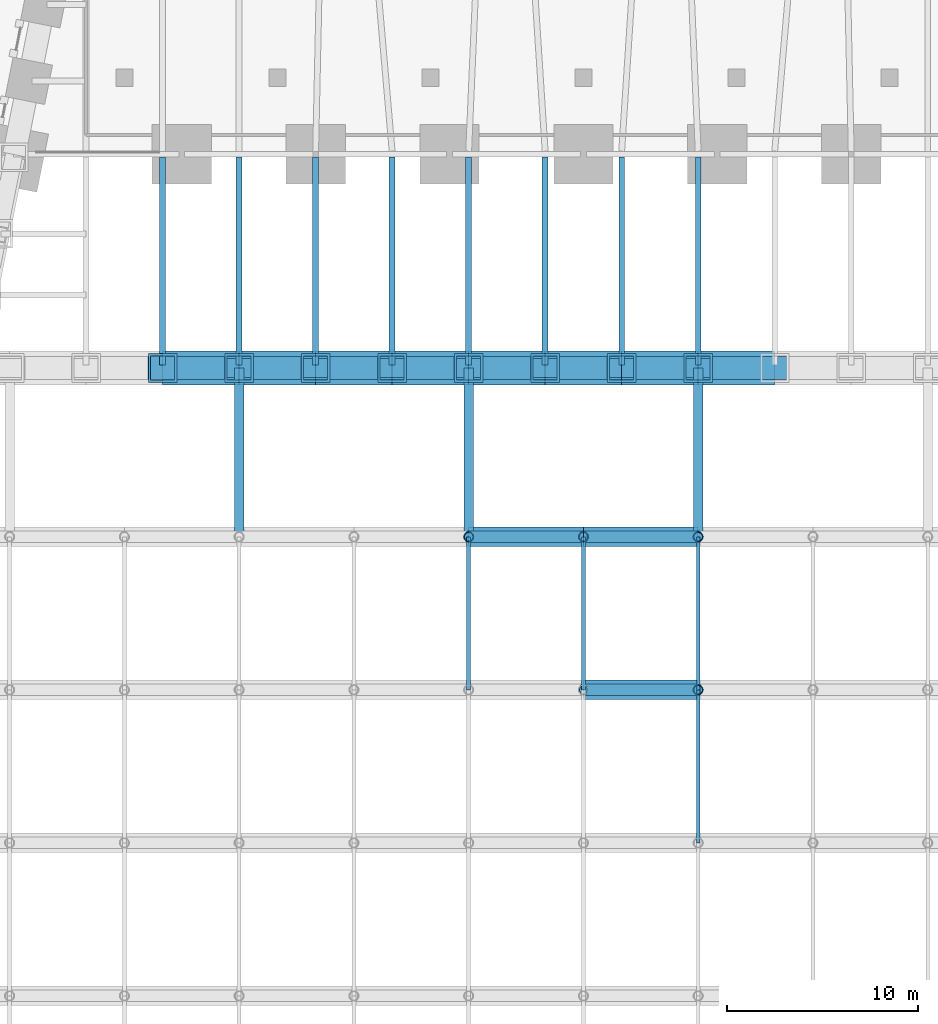
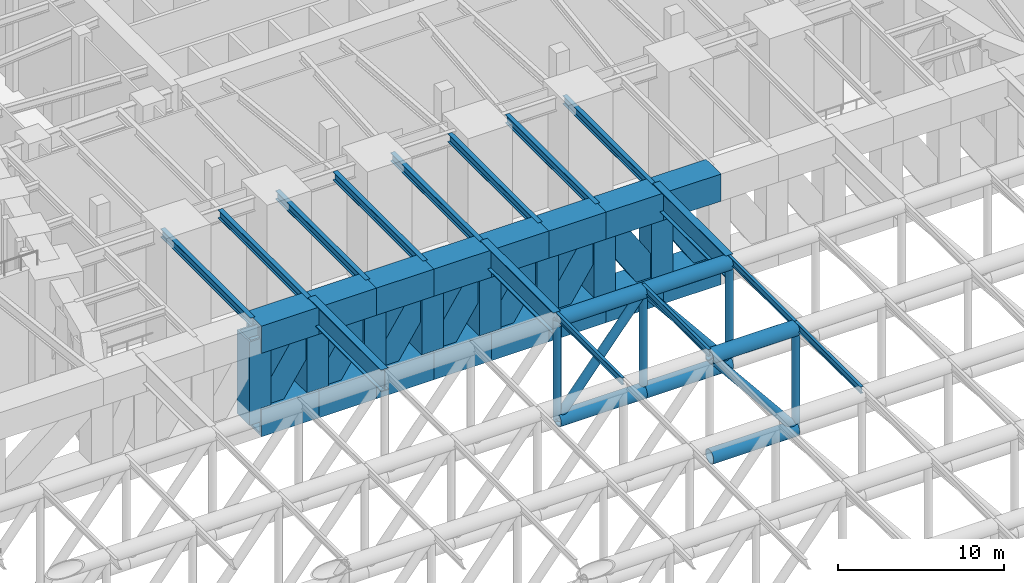
# One storey, part 4 of 20: 45 members, 15 beams.
"""IFC4 building model written with IfcOpenShell, lengths in metres."""

import ifcopenshell
import ifcopenshell.guid

model = None  # the IFC model being written
_history = None  # IfcOwnerHistory: only IFC2X3 demands one
_inside = {}  # id of a spatial element -> (the spatial element, [elements in it])
_under = {}  # id of a project, library or spatial element -> (it, [spatial elements below it])
_declared = {}  # id of a project -> (the project, [libraries it declares])
_typed = {}  # id of a type object -> (the type object, [elements of that type])
_made_of = {}  # id of a material, layer set ... -> (it, [elements and type objects made of it])


def new_model(schema):
    """Start an empty IFC model of exactly this schema.

    Asked for "IFC4X3", IfcOpenShell would pick the latest addendum, in which some entities
    have other attributes; the version numbers below select the first issue.
    IFC2X3 requires an IfcOwnerHistory on every rooted entity: one is made here for all.
    """
    global model, _history
    if schema == "IFC4X3":
        model = ifcopenshell.file(schema_version=(4, 3, 0, 0))
    else:
        model = ifcopenshell.file(schema=schema)
    _inside.clear()
    _under.clear()
    _declared.clear()
    _typed.clear()
    _made_of.clear()
    _history = None
    if model.schema == "IFC2X3":
        org = make("IfcOrganization", Name="unknown")
        user = make(
            "IfcPersonAndOrganization",
            ThePerson=make("IfcPerson", FamilyName="unknown"),
            TheOrganization=org,
        )
        app = make(
            "IfcApplication",
            ApplicationDeveloper=org,
            Version="unknown",
            ApplicationFullName="unknown",
            ApplicationIdentifier="unknown",
        )
        _history = make(
            "IfcOwnerHistory",
            OwningUser=user,
            OwningApplication=app,
            ChangeAction="ADDED",
            CreationDate=0,
        )
    return model


def make(cls, **values):
    """One entity of the class cls with the attributes given. An attribute that is None is left unset."""
    return model.create_entity(
        cls, **{name: value for name, value in values.items() if value is not None}
    )


def rooted(cls, **values):
    """An entity with a GlobalId (a new one), such as an element, a storey or a relation."""
    return make(cls, GlobalId=ifcopenshell.guid.new(), OwnerHistory=_history, **values)


def si_unit(unit_type, name, prefix=None):
    """IfcSIUnit, for example si_unit("LENGTHUNIT", "METRE", prefix="MILLI")."""
    return make("IfcSIUnit", UnitType=unit_type, Prefix=prefix, Name=name)


def assignment(units):
    """IfcUnitAssignment: the units of a project."""
    return None if units is None else make("IfcUnitAssignment", Units=units)


def point(xyz):
    """IfcCartesianPoint."""
    return None if xyz is None else make("IfcCartesianPoint", Coordinates=xyz)


def direction(xyz):
    """IfcDirection."""
    return None if xyz is None else make("IfcDirection", DirectionRatios=xyz)


def frame(location, z_axis=None, x_axis=None):
    """IfcAxis2Placement3D, a coordinate frame: its origin and axes. An axis left out is left unset."""
    return make(
        "IfcAxis2Placement3D",
        Location=point(location),
        Axis=direction(z_axis),
        RefDirection=direction(x_axis),
    )


def frame_2d(location, x_axis=None):
    """IfcAxis2Placement2D, a coordinate frame in the plane: its origin and x axis."""
    return make(
        "IfcAxis2Placement2D", Location=point(location), RefDirection=direction(x_axis)
    )


def origin():
    """The frame at (0, 0, 0) with its axes left unset."""
    return frame((0.0, 0.0, 0.0))


def origin_2d():
    """The frame at (0, 0) in the plane with its x axis left unset."""
    return frame_2d((0.0, 0.0))


def place(relative_to, where):
    """IfcLocalPlacement: puts the frame where relative to a parent placement (None: the world)."""
    return make(
        "IfcLocalPlacement", PlacementRelTo=relative_to, RelativePlacement=where
    )


def context(
    kind, dimensions, precision=None, world=None, true_north=None, identifier=None
):
    """IfcGeometricRepresentationContext, for example the 3D "Model" context."""
    return make(
        "IfcGeometricRepresentationContext",
        ContextIdentifier=identifier,
        ContextType=kind,
        CoordinateSpaceDimension=dimensions,
        Precision=precision,
        WorldCoordinateSystem=world,
        TrueNorth=true_north,
    )


def subcontext(parent, identifier, kind, view, scale=None):
    """IfcGeometricRepresentationSubContext, for example "Body" below "Model"."""
    return make(
        "IfcGeometricRepresentationSubContext",
        ContextIdentifier=identifier,
        ContextType=kind,
        ParentContext=parent,
        TargetScale=scale,
        TargetView=view,
    )


def project(units=None, contexts=None):
    """IfcProject with its units and contexts."""
    return rooted(
        "IfcProject",
        Name="project",
        RepresentationContexts=contexts,
        UnitsInContext=assignment(units),
    )


def spatial(cls, under=None, at=None, **own):
    """A site, building, storey or space (cls), placed at a placement, below another one or the project."""
    s = rooted(cls, ObjectPlacement=at, **own)
    if under is not None:
        _under.setdefault(under.id(), (under, []))[1].append(s)
    return s


def profile(cls, at=None, kind="AREA", **sizes):
    """A parametric profile (cls). Its sizes go by their IFC names, for example OverallWidth=200.0."""
    return make(cls, ProfileType=kind, Position=at, **sizes)


def hollow_rectangle(**sizes):
    """IfcRectangleHollowProfileDef."""
    return profile("IfcRectangleHollowProfileDef", **sizes)


def hollow_circle(**sizes):
    """IfcCircleHollowProfileDef."""
    return profile("IfcCircleHollowProfileDef", **sizes)


def i_section(**sizes):
    """IfcIShapeProfileDef."""
    return profile("IfcIShapeProfileDef", **sizes)


def extrude(swept, where, along, depth):
    """IfcExtrudedAreaSolid: the profile swept, set in the frame where, extruded along a direction by depth."""
    return make(
        "IfcExtrudedAreaSolid",
        SweptArea=swept,
        Position=where,
        ExtrudedDirection=direction(along),
        Depth=depth,
    )


def shape(context_of_items, identifier, shape_type, items):
    """IfcShapeRepresentation: the items that make up one representation, for example the "Body"."""
    return make(
        "IfcShapeRepresentation",
        ContextOfItems=context_of_items,
        RepresentationIdentifier=identifier,
        RepresentationType=shape_type,
        Items=items,
    )


def material(Name=None, Category=None):
    """IfcMaterial."""
    return make("IfcMaterial", Name=Name, Category=Category)


def material_profile(
    of_material, cross_section, Name=None, Category=None, Priority=None
):
    """IfcMaterialProfile: a cross section and its material."""
    return make(
        "IfcMaterialProfile",
        Name=Name,
        Material=of_material,
        Profile=cross_section,
        Priority=Priority,
        Category=Category,
    )


def profile_set(profiles, Name=None, composite=None):
    """IfcMaterialProfileSet."""
    return make(
        "IfcMaterialProfileSet",
        Name=Name,
        MaterialProfiles=profiles,
        CompositeProfile=composite,
    )


def made_of(thing, what):
    """Note that an element or type object is made of a material, layer set ...; save() writes the relation."""
    if what is not None:
        _made_of.setdefault(what.id(), (what, []))[1].append(thing)
    return thing


def type_object(cls, material=None, **own):
    """A type object (cls), such as IfcWallType, which elements share."""
    return made_of(rooted(cls, **own), material)


def element(
    cls,
    number,
    at=None,
    inside=None,
    cuts=None,
    type_object=None,
    material=None,
    context=None,
    identifier="Body",
    shape_type=None,
    held_by="IfcProductDefinitionShape",
    body=None,
    shapes=None,
    **own,
):
    """One element of the class cls, such as IfcWall. Its Tag is "e" and its number.

    at: its placement. inside: the storey or other place that contains it. cuts: it is an
    opening in that element (IfcRelVoidsElement). A single representation is given by context,
    identifier, shape_type and body (its items); several are given by shapes. held_by: the class
    of the entity that holds the representations. save() writes the other relations.
    """
    e = rooted(cls, Tag="e%d" % number, ObjectPlacement=at, **own)
    if body is not None:
        shapes = [shape(context, identifier, shape_type, body)]
    if shapes is not None:
        e.Representation = make(held_by, Representations=shapes)
    if inside is not None:
        _inside.setdefault(inside.id(), (inside, []))[1].append(e)
    if cuts is not None:
        rooted(
            "IfcRelVoidsElement", RelatingBuildingElement=cuts, RelatedOpeningElement=e
        )
    if type_object is not None:
        _typed.setdefault(type_object.id(), (type_object, []))[1].append(e)
    return made_of(e, material)


def aggregate(whole, parts):
    """IfcRelAggregates: a whole, such as a stair, and the parts it consists of."""
    return rooted("IfcRelAggregates", RelatingObject=whole, RelatedObjects=parts)


def save(model, path):
    """Write the relations noted so far, then the file.

    IfcRelAggregates (storeys below a building ...), IfcRelContainedInSpatialStructure (elements
    in a storey), IfcRelDefinesByType, IfcRelAssociatesMaterial and IfcRelDeclares: one each for
    every whole, place, type object, material and project.
    """
    for whole, parts in _under.values():
        aggregate(whole, parts)
    for where, things in _inside.values():
        rooted(
            "IfcRelContainedInSpatialStructure",
            RelatedElements=things,
            RelatingStructure=where,
        )
    for kind, things in _typed.values():
        rooted("IfcRelDefinesByType", RelatedObjects=things, RelatingType=kind)
    for what, things in _made_of.values():
        rooted("IfcRelAssociatesMaterial", RelatedObjects=things, RelatingMaterial=what)
    for by, libraries in _declared.values():
        rooted("IfcRelDeclares", RelatingContext=by, RelatedDefinitions=libraries)
    model.write(path)


model = new_model("IFC4")

# Units and contexts
model_context = context("Model", 3, precision=1e-05, world=origin(), true_north=direction((0.0, 1.0)))
body_context = subcontext(model_context, "Body", "Model", "MODEL_VIEW")
ifc_project = project(units=[si_unit("LENGTHUNIT", "METRE"), si_unit("AREAUNIT", "SQUARE_METRE"), si_unit("VOLUMEUNIT", "CUBIC_METRE"), si_unit("PLANEANGLEUNIT", "RADIAN"), si_unit("MASSUNIT", "GRAM", prefix="KILO")], contexts=[model_context])

# Site, building, storey
site_placement = place(None, origin())
site = spatial("IfcSite", under=ifc_project, at=site_placement, CompositionType="ELEMENT")
building_placement = place(site_placement, origin())
building = spatial("IfcBuilding", under=site, at=building_placement, Name="Isbrekke Arena Tower", CompositionType="ELEMENT")
storey_placement = place(building_placement, frame((0.0, 0.0, 19.0)))
storey = spatial("IfcBuildingStorey", under=building, at=storey_placement, Name="L03", CompositionType="ELEMENT", Elevation=19.0)

# Beams
ifc_material_1 = material(Name="Steel S355", Category="steel")
ifc_material_profile_1 = material_profile(ifc_material_1, i_section(OverallWidth=0.304931640625, OverallDepth=0.6201171875, WebThickness=0.02099609375, FlangeThickness=0.0400390625, FilletRadius=0.027099609375, at=origin_2d()), Name="HEM 600")
ifc_profile_set_1 = profile_set([ifc_material_profile_1], Name="Steel S355")
beam_type_1 = type_object("IfcBeamType", Name="B4 HEM 600", PredefinedType="BEAM", material=ifc_profile_set_1)
for number, where, z_axis, x_axis, name in (
    (1, (-22.0, -17.02490234375, 8.43994140625), (0.0, 1.0, 0.0), (-1.0, 0.0, 0.0), "B4 beam S-S03 L03"),
    (2, (-18.0, -17.02490234375, 8.43994140625), (0.0, 1.0, 0.0), (-1.0, 0.0, 0.0), "B4 beam S-S04 L03"),
):
    element("IfcBeam", number, at=place(storey_placement, frame(where, z_axis=z_axis, x_axis=x_axis)), inside=storey, type_object=beam_type_1, Name=name, PredefinedType="BEAM", context=body_context, shape_type="SweptSolid", body=[
        extrude(i_section(OverallWidth=0.304931640625, OverallDepth=0.6201171875, WebThickness=0.02099609375, FlangeThickness=0.0400390625, FilletRadius=0.027099609375, at=origin_2d()), origin(), (0.0, 0.0, 1.0), 10.8740234375),
    ])
beam_placement = place(storey_placement, frame((-14.0, -17.02490234375, 8.43994140625), z_axis=(0.0, 1.0, 0.0), x_axis=(-1.0, 0.0, 0.0)))
element("IfcBeam", 3, at=beam_placement, inside=storey, type_object=beam_type_1, Name="B4 beam S-S05 L03", PredefinedType="BEAM", context=body_context, shape_type="SweptSolid", body=[
    extrude(i_section(OverallWidth=0.304931640625, OverallDepth=0.6201171875, WebThickness=0.02099609375, FlangeThickness=0.0400390625, FilletRadius=0.027099609375, at=origin_2d()), origin(), (0.0, 0.0, 1.0), 10.875),
])
for number, where, z_axis, x_axis, name in (
    (4, (-10.0, -17.02490234375, 8.43994140625), (0.0, 1.0, 0.0), (-1.0, 0.0, 0.0), "B4 beam S-S06 L03"),
    (5, (-6.0, -17.02490234375, 8.43994140625), (0.0, 1.0, 0.0), (-1.0, 0.0, 0.0), "B4 beam S-S07 L03"),
    (6, (-2.0, -17.02490234375, 8.43994140625), (0.0, 1.0, 0.0), (-1.0, 0.0, 0.0), "B4 beam S-S08 L03"),
    (7, (2.0, -17.02490234375, 8.43994140625), (0.0, 1.0, 0.0), (-1.0, 0.0, 0.0), "B4 beam S-S09 L03"),
    (8, (6.0, -17.02490234375, 8.43994140625), (0.0, 1.0, 0.0), (-1.0, 0.0, 0.0), "B4 beam S-S10 L03"),
):
    element("IfcBeam", number, at=place(storey_placement, frame(where, z_axis=z_axis, x_axis=x_axis)), inside=storey, type_object=beam_type_1, Name=name, PredefinedType="BEAM", context=body_context, shape_type="SweptSolid", body=[
        extrude(i_section(OverallWidth=0.304931640625, OverallDepth=0.6201171875, WebThickness=0.02099609375, FlangeThickness=0.0400390625, FilletRadius=0.027099609375, at=origin_2d()), origin(), (0.0, 0.0, 1.0), 10.8740234375),
    ])
ifc_material_2 = material(Name="Steel S355", Category="steel")
ifc_material_profile_2 = material_profile(ifc_material_2, i_section(OverallWidth=0.199951171875, OverallDepth=0.5, WebThickness=0.01025390625, FlangeThickness=0.01611328125, FilletRadius=0.02099609375, at=origin_2d()), Name="IPE 500")
ifc_profile_set_2 = profile_set([ifc_material_profile_2], Name="Steel S355")
beam_type_2 = type_object("IfcBeamType", Name="RP1 IPE 500", PredefinedType="BEAM", material=ifc_profile_set_2)
for number, where, z_axis, x_axis, name in (
    (9, (6.0, -42.0, 8.75), (0.0, 1.0, 0.0), (-1.0, 0.0, 0.0), "RP1 roof purlin 4.10"),
    (10, (-6.0, -34.0, 8.75), (0.0, 1.0, 0.0), (-1.0, 0.0, 0.0), "RP1 roof purlin 5.8"),
    (11, (0.0, -34.0, 8.75), (0.0, 1.0, 0.0), (-1.0, 0.0, 0.0), "RP1 roof purlin 5.9"),
    (12, (6.0, -34.0, 8.75), (0.0, 1.0, 0.0), (-1.0, 0.0, 0.0), "RP1 roof purlin 5.10"),
):
    element("IfcBeam", number, at=place(storey_placement, frame(where, z_axis=z_axis, x_axis=x_axis)), inside=storey, type_object=beam_type_2, Name=name, PredefinedType="BEAM", context=body_context, shape_type="SweptSolid", body=[
        extrude(i_section(OverallWidth=0.199951171875, OverallDepth=0.5, WebThickness=0.01025390625, FlangeThickness=0.01611328125, FilletRadius=0.02099609375, at=origin_2d()), origin(), (0.0, 0.0, 1.0), 8.0),
    ])
ifc_material_3 = material(Name="Steel S460", Category="steel")
ifc_material_profile_3 = material_profile(ifc_material_3, i_section(OverallWidth=0.5, OverallDepth=1.60009765625, WebThickness=0.030029296875, FlangeThickness=0.06005859375, at=origin_2d()), Name="PG 1600x500")
ifc_profile_set_3 = profile_set([ifc_material_profile_3], Name="Steel S460")
beam_type_3 = type_object("IfcBeamType", Name="RP3 PG 1600x500", PredefinedType="BEAM", material=ifc_profile_set_3)
for number, where, z_axis, x_axis, name in (
    (13, (-18.0, -26.0, 8.199951171875), (0.0, 1.0, 0.0), (-1.0, 0.0, 0.0), "RP3 roof purlin 6.6"),
    (14, (-6.0, -26.0, 8.199951171875), (0.0, 1.0, 0.0), (-1.0, 0.0, 0.0), "RP3 roof purlin 6.8"),
    (15, (6.0, -26.0, 8.199951171875), (0.0, 1.0, 0.0), (-1.0, 0.0, 0.0), "RP3 roof purlin 6.10"),
):
    element("IfcBeam", number, at=place(storey_placement, frame(where, z_axis=z_axis, x_axis=x_axis)), inside=storey, type_object=beam_type_3, Name=name, PredefinedType="BEAM", context=body_context, shape_type="SweptSolid", body=[
        extrude(i_section(OverallWidth=0.5, OverallDepth=1.60009765625, WebThickness=0.030029296875, FlangeThickness=0.06005859375, at=origin_2d()), origin(), (0.0, 0.0, 1.0), 8.824951171875),
    ])

# Members
ifc_material_4 = material(Name="Steel S355", Category="steel")
ifc_material_profile_4 = material_profile(ifc_material_4, hollow_circle(Radius=0.508056640625, WallThickness=0.050048828125, at=origin_2d()), Name="CHS 1016x50")
ifc_profile_set_4 = profile_set([ifc_material_profile_4], Name="Steel S355")
member_type_1 = type_object("IfcMemberType", Name="RT1 CHS 1016x50", PredefinedType="CHORD", material=ifc_profile_set_4)
for number, where, z_axis, x_axis, name in (
    (16, (0.0, -34.0, 1.10791015625), (1.0, 0.0, 0.0), (0.0, 1.0, 0.0), "RT5 arena roof truss bottom chord 9"),
    (17, (0.0, -34.0, 8.491943359375), (1.0, 0.0, 0.0), (0.0, 1.0, 0.0), "RT5 arena roof truss top chord 9"),
):
    element("IfcMember", number, at=place(storey_placement, frame(where, z_axis=z_axis, x_axis=x_axis)), inside=storey, type_object=member_type_1, Name=name, PredefinedType="CHORD", context=body_context, shape_type="SweptSolid", body=[
        extrude(hollow_circle(Radius=0.508056640625, WallThickness=0.050048828125, at=origin_2d()), origin(), (0.0, 0.0, 1.0), 6.0),
    ])
ifc_material_5 = material(Name="Steel S355", Category="steel")
ifc_material_profile_5 = material_profile(ifc_material_5, hollow_circle(Radius=0.508056640625, WallThickness=0.080078125, at=origin_2d()), Name="CHS 1016x80")
ifc_profile_set_5 = profile_set([ifc_material_profile_5], Name="Steel S355")
member_type_2 = type_object("IfcMemberType", Name="RT1H CHS 1016x80", PredefinedType="CHORD", material=ifc_profile_set_5)
for number, where, z_axis, x_axis, name in (
    (18, (-6.0, -26.0, 1.10791015625), (1.0, 0.0, 0.0), (0.0, 1.0, 0.0), "RT6 arena roof truss bottom chord 8"),
    (19, (-6.0, -26.0, 8.491943359375), (1.0, 0.0, 0.0), (0.0, 1.0, 0.0), "RT6 arena roof truss top chord 8"),
    (20, (0.0, -26.0, 1.10791015625), (1.0, 0.0, 0.0), (0.0, 1.0, 0.0), "RT6 arena roof truss bottom chord 9"),
    (21, (0.0, -26.0, 8.491943359375), (1.0, 0.0, 0.0), (0.0, 1.0, 0.0), "RT6 arena roof truss top chord 9"),
):
    element("IfcMember", number, at=place(storey_placement, frame(where, z_axis=z_axis, x_axis=x_axis)), inside=storey, type_object=member_type_2, Name=name, PredefinedType="CHORD", context=body_context, shape_type="SweptSolid", body=[
        extrude(hollow_circle(Radius=0.508056640625, WallThickness=0.080078125, at=origin_2d()), origin(), (0.0, 0.0, 1.0), 6.0),
    ])
ifc_material_6 = material(Name="Steel S355", Category="steel")
ifc_material_profile_6 = material_profile(ifc_material_6, hollow_circle(Radius=0.25390625, WallThickness=0.02001953125, at=origin_2d()), Name="CHS 508x20")
ifc_profile_set_6 = profile_set([ifc_material_profile_6], Name="Steel S355")
member_type_3 = type_object("IfcMemberType", Name="RT2 CHS 508x20", PredefinedType="POST", material=ifc_profile_set_6)
for number, where, z_axis, x_axis, name in (
    (22, (6.0, -34.0, 1.10791015625), (0.0, 0.0, 1.0), (1.0, 0.0, 0.0), "RT5 arena roof truss post 10"),
    (23, (-6.0, -26.0, 1.10791015625), (0.0, 0.0, 1.0), (1.0, 0.0, 0.0), "RT6 arena roof truss post 8"),
    (24, (0.0, -26.0, 1.10791015625), (0.0, 0.0, 1.0), (1.0, 0.0, 0.0), "RT6 arena roof truss post 9"),
    (25, (6.0, -26.0, 1.10791015625), (0.0, 0.0, 1.0), (1.0, 0.0, 0.0), "RT6 arena roof truss post 10"),
):
    element("IfcMember", number, at=place(storey_placement, frame(where, z_axis=z_axis, x_axis=x_axis)), inside=storey, type_object=member_type_3, Name=name, PredefinedType="POST", context=body_context, shape_type="SweptSolid", body=[
        extrude(hollow_circle(Radius=0.25390625, WallThickness=0.02001953125, at=origin_2d()), origin(), (0.0, 0.0, 1.0), 7.384033203125),
    ])
ifc_material_7 = material(Name="Steel S355", Category="steel")
ifc_material_profile_7 = material_profile(ifc_material_7, hollow_circle(Radius=0.304931640625, WallThickness=0.050048828125, at=origin_2d()), Name="CHS 610x50")
ifc_profile_set_7 = profile_set([ifc_material_profile_7], Name="Steel S355")
member_type_4 = type_object("IfcMemberType", Name="RT3 CHS 610x50", PredefinedType="BRACE", material=ifc_profile_set_7)
for number, where, z_axis, x_axis, name in (
    (26, (0.0, -34.0, 8.491943359375), (0.630622571469, 0.0, -0.776089667728), (0.0, 1.0, 0.0), "RT5 arena roof truss diagonal 9"),
    (27, (-6.0, -26.0, 1.10791015625), (0.630622571469, 0.0, 0.776089667728), (0.0, 1.0, 0.0), "RT6 arena roof truss diagonal 8"),
    (28, (0.0, -26.0, 8.491943359375), (0.630622571469, 0.0, -0.776089667728), (0.0, 1.0, 0.0), "RT6 arena roof truss diagonal 9"),
):
    element("IfcMember", number, at=place(storey_placement, frame(where, z_axis=z_axis, x_axis=x_axis)), inside=storey, type_object=member_type_4, Name=name, PredefinedType="BRACE", context=body_context, shape_type="SweptSolid", body=[
        extrude(hollow_circle(Radius=0.304931640625, WallThickness=0.050048828125, at=origin_2d()), origin(), (0.0, 0.0, 1.0), 9.514404296875),
    ])
ifc_material_8 = material(Name="Steel S460", Category="steel")
ifc_material_profile_8 = material_profile(ifc_material_8, hollow_rectangle(XDim=1.800048828125, YDim=2.0, WallThickness=0.199951171875, at=origin_2d()), Name="BOX 1800x2000x200")
ifc_profile_set_8 = profile_set([ifc_material_profile_8], Name="Steel S460")
member_type_5 = type_object("IfcMemberType", Name="TT1 BOX 1800x2000x200", PredefinedType="CHORD", material=ifc_profile_set_8)
for number, where, z_axis, x_axis, name in (
    (29, (-22.0, -17.175048828125, 1.60009765625), (1.0, 0.0, 0.0), (0.0, 1.0, 0.0), "TT1 transfer truss bottom chord 6"),
    (30, (-22.0, -17.175048828125, 7.75), (1.0, 0.0, 0.0), (0.0, 1.0, 0.0), "TT1 transfer truss top chord 6"),
    (31, (-18.0, -17.175048828125, 1.60009765625), (1.0, 0.0, 0.0), (0.0, 1.0, 0.0), "TT1 transfer truss bottom chord 7"),
    (32, (-18.0, -17.175048828125, 7.75), (1.0, 0.0, 0.0), (0.0, 1.0, 0.0), "TT1 transfer truss top chord 7"),
    (33, (-14.0, -17.175048828125, 1.60009765625), (1.0, 0.0, 0.0), (0.0, 1.0, 0.0), "TT1 transfer truss bottom chord 8"),
    (34, (-14.0, -17.175048828125, 7.75), (1.0, 0.0, 0.0), (0.0, 1.0, 0.0), "TT1 transfer truss top chord 8"),
    (35, (-10.0, -17.175048828125, 1.60009765625), (1.0, 0.0, 0.0), (0.0, 1.0, 0.0), "TT1 transfer truss bottom chord 9"),
    (36, (-10.0, -17.175048828125, 7.75), (1.0, 0.0, 0.0), (0.0, 1.0, 0.0), "TT1 transfer truss top chord 9"),
    (37, (-6.0, -17.175048828125, 1.60009765625), (1.0, 0.0, 0.0), (0.0, 1.0, 0.0), "TT1 transfer truss bottom chord 10"),
    (38, (-6.0, -17.175048828125, 7.75), (1.0, 0.0, 0.0), (0.0, 1.0, 0.0), "TT1 transfer truss top chord 10"),
    (39, (-2.0, -17.175048828125, 1.60009765625), (1.0, 0.0, 0.0), (0.0, 1.0, 0.0), "TT1 transfer truss bottom chord 11"),
    (40, (-2.0, -17.175048828125, 7.75), (1.0, 0.0, 0.0), (0.0, 1.0, 0.0), "TT1 transfer truss top chord 11"),
    (41, (2.0, -17.175048828125, 1.60009765625), (1.0, 0.0, 0.0), (0.0, 1.0, 0.0), "TT1 transfer truss bottom chord 12"),
    (42, (2.0, -17.175048828125, 7.75), (1.0, 0.0, 0.0), (0.0, 1.0, 0.0), "TT1 transfer truss top chord 12"),
    (43, (6.0, -17.175048828125, 1.60009765625), (1.0, 0.0, 0.0), (0.0, 1.0, 0.0), "TT1 transfer truss bottom chord 13"),
    (44, (6.0, -17.175048828125, 7.75), (1.0, 0.0, 0.0), (0.0, 1.0, 0.0), "TT1 transfer truss top chord 13"),
):
    element("IfcMember", number, at=place(storey_placement, frame(where, z_axis=z_axis, x_axis=x_axis)), inside=storey, type_object=member_type_5, Name=name, PredefinedType="CHORD", context=body_context, shape_type="SweptSolid", body=[
        extrude(hollow_rectangle(XDim=1.800048828125, YDim=2.0, WallThickness=0.199951171875, at=origin_2d()), origin(), (0.0, 0.0, 1.0), 4.0),
    ])
ifc_material_9 = material(Name="Steel S460", Category="steel")
ifc_material_profile_9 = material_profile(ifc_material_9, hollow_rectangle(XDim=1.5, YDim=1.5, WallThickness=0.1201171875, at=origin_2d()), Name="BOX 1500x1500x120")
ifc_profile_set_9 = profile_set([ifc_material_profile_9], Name="Steel S460")
member_type_6 = type_object("IfcMemberType", Name="TT2 BOX 1500x1500x120", PredefinedType="POST", material=ifc_profile_set_9)
for number, where, z_axis, x_axis, name in (
    (45, (-22.0, -17.175048828125, 1.60009765625), (0.0, 0.0, 1.0), (1.0, 0.0, 0.0), "TT1 transfer truss post 6"),
    (46, (-18.0, -17.175048828125, 1.60009765625), (0.0, 0.0, 1.0), (1.0, 0.0, 0.0), "TT1 transfer truss post 7"),
    (47, (-14.0, -17.175048828125, 1.60009765625), (0.0, 0.0, 1.0), (1.0, 0.0, 0.0), "TT1 transfer truss post 8"),
    (48, (-10.0, -17.175048828125, 1.60009765625), (0.0, 0.0, 1.0), (1.0, 0.0, 0.0), "TT1 transfer truss post 9"),
    (49, (-6.0, -17.175048828125, 1.60009765625), (0.0, 0.0, 1.0), (1.0, 0.0, 0.0), "TT1 transfer truss post 10"),
    (50, (-2.0, -17.175048828125, 1.60009765625), (0.0, 0.0, 1.0), (1.0, 0.0, 0.0), "TT1 transfer truss post 11"),
    (51, (2.0, -17.175048828125, 1.60009765625), (0.0, 0.0, 1.0), (1.0, 0.0, 0.0), "TT1 transfer truss post 12"),
    (52, (6.0, -17.175048828125, 1.60009765625), (0.0, 0.0, 1.0), (1.0, 0.0, 0.0), "TT1 transfer truss post 13"),
):
    element("IfcMember", number, at=place(storey_placement, frame(where, z_axis=z_axis, x_axis=x_axis)), inside=storey, type_object=member_type_6, Name=name, PredefinedType="POST", context=body_context, shape_type="SweptSolid", body=[
        extrude(hollow_rectangle(XDim=1.5, YDim=1.5, WallThickness=0.1201171875, at=origin_2d()), origin(), (0.0, 0.0, 1.0), 6.14990234375),
    ])
ifc_material_10 = material(Name="Steel S460", Category="steel")
ifc_material_profile_10 = material_profile(ifc_material_10, hollow_rectangle(XDim=1.199951171875, YDim=1.800048828125, WallThickness=0.10009765625, at=origin_2d()), Name="BOX 1200x1800x100")
ifc_profile_set_10 = profile_set([ifc_material_profile_10], Name="Steel S460")
member_type_7 = type_object("IfcMemberType", Name="TT3 BOX 1200x1800x100", PredefinedType="BRACE", material=ifc_profile_set_10)
for number, where, z_axis, x_axis, name in (
    (53, (-22.0, -17.175048828125, 1.60009765625), (0.545233967716, 0.0, 0.838283913987), (0.0, 1.0, 0.0), "TT1 transfer truss diagonal 6"),
    (54, (-18.0, -17.175048828125, 1.60009765625), (0.545233967716, 0.0, 0.838283913987), (0.0, 1.0, 0.0), "TT1 transfer truss diagonal 7"),
    (55, (-14.0, -17.175048828125, 1.60009765625), (0.545233967716, 0.0, 0.838283913987), (0.0, 1.0, 0.0), "TT1 transfer truss diagonal 8"),
    (56, (-10.0, -17.175048828125, 1.60009765625), (0.545233967716, 0.0, 0.838283913987), (0.0, 1.0, 0.0), "TT1 transfer truss diagonal 9"),
    (57, (-6.0, -17.175048828125, 1.60009765625), (0.545233967716, 0.0, 0.838283913987), (0.0, 1.0, 0.0), "TT1 transfer truss diagonal 10"),
    (58, (-2.0, -17.175048828125, 1.60009765625), (0.545233967716, 0.0, 0.838283913987), (0.0, 1.0, 0.0), "TT1 transfer truss diagonal 11"),
    (59, (2.0, -17.175048828125, 7.75), (0.545233967716, 0.0, -0.838283913987), (0.0, 1.0, 0.0), "TT1 transfer truss diagonal 12"),
    (60, (6.0, -17.175048828125, 7.75), (0.545233967716, 0.0, -0.838283913987), (0.0, 1.0, 0.0), "TT1 transfer truss diagonal 13"),
):
    element("IfcMember", number, at=place(storey_placement, frame(where, z_axis=z_axis, x_axis=x_axis)), inside=storey, type_object=member_type_7, Name=name, PredefinedType="BRACE", context=body_context, shape_type="SweptSolid", body=[
        extrude(hollow_rectangle(XDim=1.199951171875, YDim=1.800048828125, WallThickness=0.10009765625, at=origin_2d()), origin(), (0.0, 0.0, 1.0), 7.336181640625),
    ])

save(model, "model.ifc")
